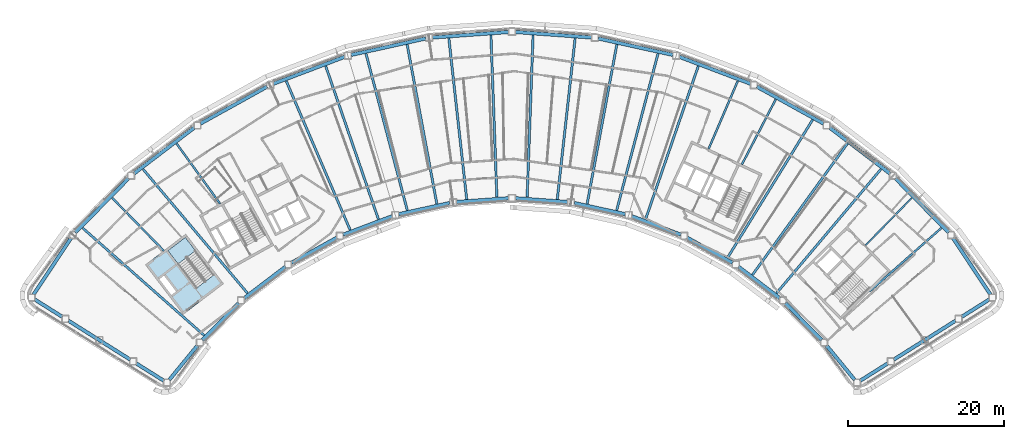
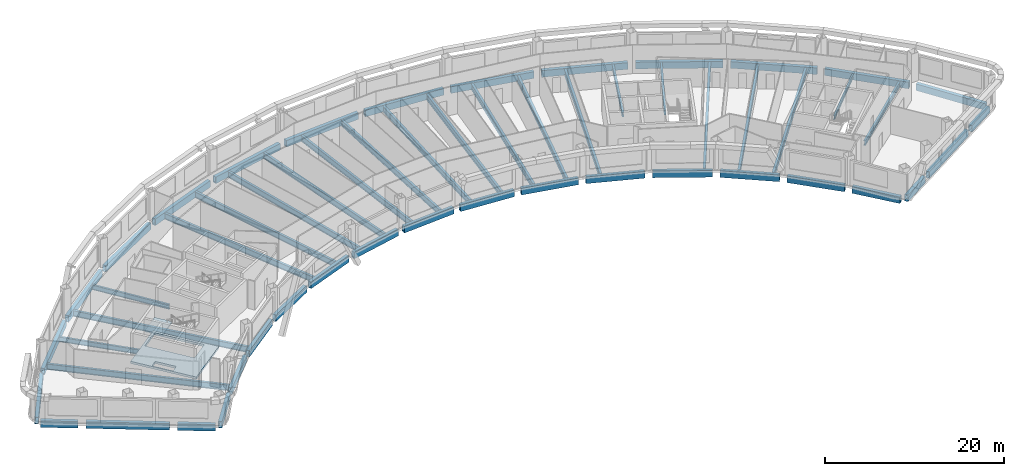
# One storey, part 3 of 17: 56 beams, 2 slabs, 1 element without a shape of its own.
"""IFC4 building model written with IfcOpenShell, lengths in metres."""

from ifc_helpers import new_model, si_unit, direction, frame, origin, origin_2d, place, context, subcontext, project, spatial, polyline, hollow_rectangle, i_section, outline, extrude, material, layer, layer_set, material_profile, profile_set, type_object, element, aggregate, save


model = new_model("IFC4")

# Units and contexts
model_context = context("Model", 3, precision=1e-05, world=origin(), true_north=direction((0.0, 1.0)))
body_context = subcontext(model_context, "Body", "Model", "MODEL_VIEW")
ifc_project = project(units=[si_unit("LENGTHUNIT", "METRE"), si_unit("AREAUNIT", "SQUARE_METRE"), si_unit("VOLUMEUNIT", "CUBIC_METRE"), si_unit("PLANEANGLEUNIT", "RADIAN"), si_unit("MASSUNIT", "GRAM", prefix="KILO")], contexts=[model_context])

# Site, building, storey
site_placement = place(None, origin())
site = spatial("IfcSite", under=ifc_project, at=site_placement, CompositionType="ELEMENT")
building_placement = place(site_placement, origin())
building = spatial("IfcBuilding", under=site, at=building_placement, Name="Tuul Gate Civic Tower", CompositionType="ELEMENT")
storey_placement = place(building_placement, frame((0.0, 0.0, 222.10009765625)))
storey = spatial("IfcBuildingStorey", under=building, at=storey_placement, Name="Level 50", CompositionType="ELEMENT", Elevation=222.10009765625)

# Beams
ifc_material_1 = material(Name="Steel S355", Category="steel")
ifc_material_profile_1 = material_profile(ifc_material_1, i_section(OverallWidth=0.199951171875, OverallDepth=0.5, WebThickness=0.010009765625, FlangeThickness=0.01611328125, at=origin_2d()), Name="PG500x200x10x16")
ifc_profile_set_1 = profile_set([ifc_material_profile_1], Name="Steel S355")
beam_type_1 = type_object("IfcBeamType", Name="STR-FLOOR BEAM-PG500x200x10x16", PredefinedType="BEAM", material=ifc_profile_set_1)
beam_1_placement = place(storey_placement, frame((51.3310546875, -8.854248046875, -0.550048828125), z_axis=(0.698691017766, 0.715423554052, 0.0), x_axis=(-0.715423554052, 0.698691017766, 0.0)))
element("IfcBeam", 1, at=beam_1_placement, inside=storey, type_object=beam_type_1, Name="Floor beam", PredefinedType="BEAM", context=body_context, shape_type="SweptSolid", body=[
    extrude(i_section(OverallWidth=0.199951171875, OverallDepth=0.5, WebThickness=0.010009765625, FlangeThickness=0.01611328125, at=origin_2d()), origin(), (0.0, 0.0, 1.0), 8.50634765625),
])
ifc_material_2 = material(Name="Steel S355", Category="steel")
ifc_material_profile_2 = material_profile(ifc_material_2, i_section(OverallWidth=0.25, OverallDepth=0.64990234375, WebThickness=0.011962890625, FlangeThickness=0.02001953125, at=origin_2d()), Name="PG650x250x12x20")
ifc_profile_set_2 = profile_set([ifc_material_profile_2], Name="Steel S355")
beam_type_2 = type_object("IfcBeamType", Name="STR-FLOOR BEAM-PG650x250x12x20", PredefinedType="BEAM", material=ifc_profile_set_2)
beam_2_placement = place(storey_placement, frame((51.833740234375, -14.790771484375, -0.625), z_axis=(0.749448461943, 0.662062688037, 0.0), x_axis=(-0.662062688037, 0.749448461943, 0.0)))
element("IfcBeam", 2, at=beam_2_placement, inside=storey, type_object=beam_type_2, Name="Floor beam", PredefinedType="BEAM", context=body_context, shape_type="SweptSolid", body=[
    extrude(i_section(OverallWidth=0.25, OverallDepth=0.64990234375, WebThickness=0.011962890625, FlangeThickness=0.02001953125, at=origin_2d()), origin(), (0.0, 0.0, 1.0), 12.31787109375),
])
beam_3_placement = place(storey_placement, frame((35.4609375, 1.528564453125, -0.625), z_axis=(0.460792486789, 0.887507906511, 0.0), x_axis=(-0.887507906511, 0.460792486789, 0.0)))
element("IfcBeam", 3, at=beam_3_placement, inside=storey, type_object=beam_type_2, Name="Floor beam", PredefinedType="BEAM", context=body_context, shape_type="SweptSolid", body=[
    extrude(i_section(OverallWidth=0.25, OverallDepth=0.64990234375, WebThickness=0.011962890625, FlangeThickness=0.02001953125, at=origin_2d()), origin(), (0.0, 0.0, 1.0), 9.4140625),
])
beam_4_placement = place(storey_placement, frame((31.184814453125, 3.5224609375, -0.625), z_axis=(0.394202008704, 0.919023817066, 0.0), x_axis=(-0.919023817066, 0.394202008704, 0.0)))
element("IfcBeam", 4, at=beam_4_placement, inside=storey, type_object=beam_type_2, Name="Floor beam", PredefinedType="BEAM", context=body_context, shape_type="SweptSolid", body=[
    extrude(i_section(OverallWidth=0.25, OverallDepth=0.64990234375, WebThickness=0.011962890625, FlangeThickness=0.02001953125, at=origin_2d()), origin(), (0.0, 0.0, 1.0), 9.48388671875),
])
beam_5_placement = place(storey_placement, frame((-31.535888671875, -3.523193359375, -0.625), z_axis=(-0.586084023539, 0.810250280686, 0.0), x_axis=(-0.810250280686, -0.586084023539, 0.0)))
element("IfcBeam", 5, at=beam_5_placement, inside=storey, type_object=beam_type_2, Name="Floor beam", PredefinedType="BEAM", context=body_context, shape_type="SweptSolid", body=[
    extrude(i_section(OverallWidth=0.25, OverallDepth=0.64990234375, WebThickness=0.011962890625, FlangeThickness=0.02001953125, at=origin_2d()), origin(), (0.0, 0.0, 1.0), 9.53515625),
])
beam_6_placement = place(storey_placement, frame((-38.757568359375, -9.564697265625, -0.625), z_axis=(-0.698678959674, 0.715435329928, 0.0), x_axis=(-0.715435329928, -0.698678959674, 0.0)))
element("IfcBeam", 6, at=beam_6_placement, inside=storey, type_object=beam_type_2, Name="Floor beam", PredefinedType="BEAM", context=body_context, shape_type="SweptSolid", body=[
    extrude(i_section(OverallWidth=0.25, OverallDepth=0.64990234375, WebThickness=0.011962890625, FlangeThickness=0.02001953125, at=origin_2d()), origin(), (0.0, 0.0, 1.0), 9.499755859375),
])
ifc_material_3 = material(Name="Steel S355", Category="steel")
ifc_material_profile_3 = material_profile(ifc_material_3, i_section(OverallWidth=0.300048828125, OverallDepth=0.800048828125, WebThickness=0.013916015625, FlangeThickness=0.02490234375, at=origin_2d()), Name="PG800x300x14x25")
ifc_profile_set_3 = profile_set([ifc_material_profile_3], Name="Steel S355")
beam_type_3 = type_object("IfcBeamType", Name="STR-FLOOR BEAM-PG800x300x14x25", PredefinedType="BEAM", material=ifc_profile_set_3)
beam_7_placement = place(storey_placement, frame((39.8974609375, -15.008056640625, -0.7001953125), z_axis=(0.644132135775, 0.764914238109, 0.0), x_axis=(-0.764914238109, 0.644132135775, 0.0)))
element("IfcBeam", 7, at=beam_7_placement, inside=storey, type_object=beam_type_3, Name="Floor beam", PredefinedType="BEAM", context=body_context, shape_type="SweptSolid", body=[
    extrude(i_section(OverallWidth=0.300048828125, OverallDepth=0.800048828125, WebThickness=0.013916015625, FlangeThickness=0.02490234375, at=origin_2d()), origin(), (0.0, 0.0, 1.0), 20.82568359375),
])
beam_8_placement = place(storey_placement, frame((36.80908203125, -12.656494140625, -0.7001953125), z_axis=(0.586087172263, 0.810248003089, 0.0), x_axis=(-0.810248003089, 0.586087172263, 0.0)))
element("IfcBeam", 8, at=beam_8_placement, inside=storey, type_object=beam_type_3, Name="Floor beam", PredefinedType="BEAM", context=body_context, shape_type="SweptSolid", body=[
    extrude(i_section(OverallWidth=0.300048828125, OverallDepth=0.800048828125, WebThickness=0.013916015625, FlangeThickness=0.02490234375, at=origin_2d()), origin(), (0.0, 0.0, 1.0), 20.806884765625),
])
beam_9_placement = place(storey_placement, frame((33.605712890625, -10.46533203125, -0.7001953125), z_axis=(0.524856706834, 0.851190599861, 0.0), x_axis=(-0.851190599861, 0.524856706834, 0.0)))
element("IfcBeam", 9, at=beam_9_placement, inside=storey, type_object=beam_type_3, Name="Floor beam", PredefinedType="BEAM", context=body_context, shape_type="SweptSolid", body=[
    extrude(i_section(OverallWidth=0.300048828125, OverallDepth=0.800048828125, WebThickness=0.013916015625, FlangeThickness=0.02490234375, at=origin_2d()), origin(), (0.0, 0.0, 1.0), 20.82275390625),
])
beam_10_placement = place(storey_placement, frame((23.0859375, -5.52294921875, -0.7001953125), z_axis=(0.325486974479, 0.945546524209, 0.0), x_axis=(-0.945546524209, 0.325486974479, 0.0)))
element("IfcBeam", 10, at=beam_10_placement, inside=storey, type_object=beam_type_3, Name="Floor beam", PredefinedType="BEAM", context=body_context, shape_type="SweptSolid", body=[
    extrude(i_section(OverallWidth=0.300048828125, OverallDepth=0.800048828125, WebThickness=0.013916015625, FlangeThickness=0.02490234375, at=origin_2d()), origin(), (0.0, 0.0, 1.0), 20.809326171875),
])
beam_11_placement = place(storey_placement, frame((19.37841796875, -4.3759765625, -0.7001953125), z_axis=(0.255007612054, 0.966939045542, 0.0), x_axis=(-0.966939045542, 0.255007612054, 0.0)))
element("IfcBeam", 11, at=beam_11_placement, inside=storey, type_object=beam_type_3, Name="Floor beam", PredefinedType="BEAM", context=body_context, shape_type="SweptSolid", body=[
    extrude(i_section(OverallWidth=0.300048828125, OverallDepth=0.800048828125, WebThickness=0.013916015625, FlangeThickness=0.02490234375, at=origin_2d()), origin(), (0.0, 0.0, 1.0), 20.8173828125),
])
beam_12_placement = place(storey_placement, frame((15.58837890625, -3.540771484375, -0.7001953125), z_axis=(0.1831360046, 0.983087587054, 0.0), x_axis=(-0.983087587054, 0.1831360046, 0.0)))
element("IfcBeam", 12, at=beam_12_placement, inside=storey, type_object=beam_type_3, Name="Floor beam", PredefinedType="BEAM", context=body_context, shape_type="SweptSolid", body=[
    extrude(i_section(OverallWidth=0.300048828125, OverallDepth=0.800048828125, WebThickness=0.013916015625, FlangeThickness=0.02490234375, at=origin_2d()), origin(), (0.0, 0.0, 1.0), 20.811279296875),
])
beam_13_placement = place(storey_placement, frame((11.7509765625, -2.960693359375, -0.7001953125), z_axis=(0.110288630292, 0.993899601584, 0.0), x_axis=(-0.993899601584, 0.110288630292, 0.0)))
element("IfcBeam", 13, at=beam_13_placement, inside=storey, type_object=beam_type_3, Name="Floor beam", PredefinedType="BEAM", context=body_context, shape_type="SweptSolid", body=[
    extrude(i_section(OverallWidth=0.300048828125, OverallDepth=0.800048828125, WebThickness=0.013916015625, FlangeThickness=0.02490234375, at=origin_2d()), origin(), (0.0, 0.0, 1.0), 20.81494140625),
])
for number, where, z_axis, x_axis, name in (
    (14, (7.880126953125, -2.679931640625, -0.7001953125), (0.036833774102, 0.999321406298, 0.0), (-0.999321406298, 0.036833774102, 0.0), "Floor beam"),
    (15, (3.99951171875, -2.679931640625, -0.7001953125), (-0.036833774102, 0.999321406298, 0.0), (-0.999321406298, -0.036833774102, 0.0), "Floor beam"),
):
    element("IfcBeam", number, at=place(storey_placement, frame(where, z_axis=z_axis, x_axis=x_axis)), inside=storey, type_object=beam_type_3, Name=name, PredefinedType="BEAM", context=body_context, shape_type="SweptSolid", body=[
        extrude(i_section(OverallWidth=0.300048828125, OverallDepth=0.800048828125, WebThickness=0.013916015625, FlangeThickness=0.02490234375, at=origin_2d()), origin(), (0.0, 0.0, 1.0), 20.8125),
    ])
beam_14_placement = place(storey_placement, frame((0.128662109375, -2.960693359375, -0.7001953125), z_axis=(-0.110287344613, 0.993899744249, 0.0), x_axis=(-0.993899744249, -0.110287344613, 0.0)))
element("IfcBeam", 16, at=beam_14_placement, inside=storey, type_object=beam_type_3, Name="Floor beam", PredefinedType="BEAM", context=body_context, shape_type="SweptSolid", body=[
    extrude(i_section(OverallWidth=0.300048828125, OverallDepth=0.800048828125, WebThickness=0.013916015625, FlangeThickness=0.02490234375, at=origin_2d()), origin(), (0.0, 0.0, 1.0), 20.815185546875),
])
beam_15_placement = place(storey_placement, frame((-3.708740234375, -3.540771484375, -0.7001953125), z_axis=(-0.183133892551, 0.983087980498, 0.0), x_axis=(-0.983087980498, -0.183133892551, 0.0)))
element("IfcBeam", 17, at=beam_15_placement, inside=storey, type_object=beam_type_3, Name="Floor beam", PredefinedType="BEAM", context=body_context, shape_type="SweptSolid", body=[
    extrude(i_section(OverallWidth=0.300048828125, OverallDepth=0.800048828125, WebThickness=0.013916015625, FlangeThickness=0.02490234375, at=origin_2d()), origin(), (0.0, 0.0, 1.0), 20.8115234375),
])
beam_16_placement = place(storey_placement, frame((-7.498779296875, -4.3759765625, -0.7001953125), z_axis=(-0.255004720301, 0.96693980817, 0.0), x_axis=(-0.96693980817, -0.255004720301, 0.0)))
element("IfcBeam", 18, at=beam_16_placement, inside=storey, type_object=beam_type_3, Name="Floor beam", PredefinedType="BEAM", context=body_context, shape_type="SweptSolid", body=[
    extrude(i_section(OverallWidth=0.300048828125, OverallDepth=0.800048828125, WebThickness=0.013916015625, FlangeThickness=0.02490234375, at=origin_2d()), origin(), (0.0, 0.0, 1.0), 20.817626953125),
])
beam_17_placement = place(storey_placement, frame((-11.20654296875, -5.522705078125, -0.7001953125), z_axis=(-0.325476485131, 0.945550134909, 0.0), x_axis=(-0.945550134909, -0.325476485131, 0.0)))
element("IfcBeam", 19, at=beam_17_placement, inside=storey, type_object=beam_type_3, Name="Floor beam", PredefinedType="BEAM", context=body_context, shape_type="SweptSolid", body=[
    extrude(i_section(OverallWidth=0.300048828125, OverallDepth=0.800048828125, WebThickness=0.013916015625, FlangeThickness=0.02490234375, at=origin_2d()), origin(), (0.0, 0.0, 1.0), 20.809326171875),
])
beam_18_placement = place(storey_placement, frame((-14.836669921875, -6.895263671875, -0.7001953125), z_axis=(-0.394196672068, 0.91902610612, 0.0), x_axis=(-0.91902610612, -0.394196672068, 0.0)))
element("IfcBeam", 20, at=beam_18_placement, inside=storey, type_object=beam_type_3, Name="Floor beam", PredefinedType="BEAM", context=body_context, shape_type="SweptSolid", body=[
    extrude(i_section(OverallWidth=0.300048828125, OverallDepth=0.800048828125, WebThickness=0.013916015625, FlangeThickness=0.02490234375, at=origin_2d()), origin(), (0.0, 0.0, 1.0), 20.819580078125),
])
beam_19_placement = place(storey_placement, frame((-28.017822265625, -15.0078125, -0.7001953125), z_axis=(-0.644126359816, 0.764919101991, 0.0), x_axis=(-0.764919101991, -0.644126359816, 0.0)))
element("IfcBeam", 21, at=beam_19_placement, inside=storey, type_object=beam_type_3, Name="Floor beam", PredefinedType="BEAM", context=body_context, shape_type="SweptSolid", body=[
    extrude(i_section(OverallWidth=0.300048828125, OverallDepth=0.800048828125, WebThickness=0.013916015625, FlangeThickness=0.02490234375, at=origin_2d()), origin(), (0.0, 0.0, 1.0), 20.825927734375),
])
beam_20_placement = place(storey_placement, frame((-33.57568359375, -20.42529296875, -0.7001953125), z_axis=(-0.749447427269, 0.662063859277, 0.0), x_axis=(-0.662063859277, -0.749447427269, 0.0)))
element("IfcBeam", 22, at=beam_20_placement, inside=storey, type_object=beam_type_3, Name="Floor beam", PredefinedType="BEAM", context=body_context, shape_type="SweptSolid", body=[
    extrude(i_section(OverallWidth=0.300048828125, OverallDepth=0.800048828125, WebThickness=0.013916015625, FlangeThickness=0.02490234375, at=origin_2d()), origin(), (0.0, 0.0, 1.0), 20.82861328125),
])
ifc_material_4 = material(Name="Steel S355", Category="steel")
ifc_material_profile_4 = material_profile(ifc_material_4, hollow_rectangle(XDim=0.449951171875, YDim=0.89990234375, WallThickness=0.02490234375, at=origin_2d()), Name="BOX900x450x25")
ifc_profile_set_4 = profile_set([ifc_material_profile_4], Name="Steel S355")
beam_type_4 = type_object("IfcBeamType", Name="STR-SPANDREL BEAM-BOX900x450x25", PredefinedType="BEAM", material=ifc_profile_set_4)
beam_21_placement = place(storey_placement, frame((67.36279296875, -15.187744140625, -0.75), z_axis=(-0.551583824499, 0.834119466594, 0.0), x_axis=(-0.834119466594, -0.551583824499, 0.0)))
element("IfcBeam", 23, at=beam_21_placement, inside=storey, type_object=beam_type_4, Name="Spandrel beam", PredefinedType="BEAM", context=body_context, shape_type="SweptSolid", body=[
    extrude(hollow_rectangle(XDim=0.449951171875, YDim=0.89990234375, WallThickness=0.02490234375, at=origin_2d()), origin(), (0.0, 0.0, 1.0), 8.706787109375),
])
beam_22_placement = place(storey_placement, frame((61.9970703125, -7.228759765625, -0.75), z_axis=(-0.700043201451, 0.7141004944, 0.0), x_axis=(-0.7141004944, -0.700043201451, 0.0)))
element("IfcBeam", 24, at=beam_22_placement, inside=storey, type_object=beam_type_4, Name="Spandrel beam", PredefinedType="BEAM", context=body_context, shape_type="SweptSolid", body=[
    extrude(hollow_rectangle(XDim=0.449951171875, YDim=0.89990234375, WallThickness=0.02490234375, at=origin_2d()), origin(), (0.0, 0.0, 1.0), 9.77783203125),
])
beam_23_placement = place(storey_placement, frame((54.47900390625, 0.34765625, -0.75), z_axis=(-0.795631153365, 0.605781369634, 0.0), x_axis=(-0.605781369634, -0.795631153365, 0.0)))
element("IfcBeam", 25, at=beam_23_placement, inside=storey, type_object=beam_type_4, Name="Spandrel beam", PredefinedType="BEAM", context=body_context, shape_type="SweptSolid", body=[
    extrude(hollow_rectangle(XDim=0.449951171875, YDim=0.89990234375, WallThickness=0.02490234375, at=origin_2d()), origin(), (0.0, 0.0, 1.0), 9.777099609375),
])
beam_24_placement = place(storey_placement, frame((45.948486328125, 6.76123046875, -0.75), z_axis=(-0.874650322207, 0.48475438509, 0.0), x_axis=(-0.48475438509, -0.874650322207, 0.0)))
element("IfcBeam", 26, at=beam_24_placement, inside=storey, type_object=beam_type_4, Name="Spandrel beam", PredefinedType="BEAM", context=body_context, shape_type="SweptSolid", body=[
    extrude(hollow_rectangle(XDim=0.449951171875, YDim=0.89990234375, WallThickness=0.02490234375, at=origin_2d()), origin(), (0.0, 0.0, 1.0), 9.777587890625),
])
for number, where, z_axis, x_axis, name in (
    (27, (36.58203125, 11.878173828125, -0.75), (-0.935338294107, 0.353754541423, 0.0), (-0.353754541423, -0.935338294107, 0.0), "Spandrel beam"),
    (28, (26.57666015625, 15.5927734375, -0.75), (-0.976560449923, 0.215243321955, 0.0), (-0.215243321955, -0.976560449923, 0.0), "Spandrel beam"),
):
    element("IfcBeam", number, at=place(storey_placement, frame(where, z_axis=z_axis, x_axis=x_axis)), inside=storey, type_object=beam_type_4, Name=name, PredefinedType="BEAM", context=body_context, shape_type="SweptSolid", body=[
        extrude(hollow_rectangle(XDim=0.449951171875, YDim=0.89990234375, WallThickness=0.02490234375, at=origin_2d()), origin(), (0.0, 0.0, 1.0), 9.77734375),
    ])
beam_25_placement = place(storey_placement, frame((16.14013671875, 17.826416015625, -0.75), z_axis=(-0.997388890217, 0.072217737926, 0.0), x_axis=(-0.072217737926, -0.997388890217, 0.0)))
element("IfcBeam", 29, at=beam_25_placement, inside=storey, type_object=beam_type_4, Name="Spandrel beam", PredefinedType="BEAM", context=body_context, shape_type="SweptSolid", body=[
    extrude(hollow_rectangle(XDim=0.449951171875, YDim=0.89990234375, WallThickness=0.02490234375, at=origin_2d()), origin(), (0.0, 0.0, 1.0), 9.77685546875),
])
beam_26_placement = place(storey_placement, frame((5.4912109375, 18.532470703125, -0.75), z_axis=(-0.997389541279, -0.072208745641, 0.0), x_axis=(0.072208745641, -0.997389541279, 0.0)))
element("IfcBeam", 30, at=beam_26_placement, inside=storey, type_object=beam_type_4, Name="Spandrel beam", PredefinedType="BEAM", context=body_context, shape_type="SweptSolid", body=[
    extrude(hollow_rectangle(XDim=0.449951171875, YDim=0.89990234375, WallThickness=0.02490234375, at=origin_2d()), origin(), (0.0, 0.0, 1.0), 9.778076171875),
])
for number, where, z_axis, x_axis, name in (
    (31, (-5.1494140625, 17.697265625, -0.75), (-0.976560449923, -0.215243321955, 0.0), (0.215243321955, -0.976560449923, 0.0), "Spandrel beam"),
    (32, (-15.557861328125, 15.3369140625, -0.75), (-0.93534141884, -0.353746279418, 0.0), (0.353746279418, -0.93534141884, 0.0), "Spandrel beam"),
    (33, (-25.517578125, 11.5009765625, -0.75), (-0.874644454553, -0.484764972042, 0.0), (0.484764972042, -0.874644454553, 0.0), "Spandrel beam"),
):
    element("IfcBeam", number, at=place(storey_placement, frame(where, z_axis=z_axis, x_axis=x_axis)), inside=storey, type_object=beam_type_4, Name=name, PredefinedType="BEAM", context=body_context, shape_type="SweptSolid", body=[
        extrude(hollow_rectangle(XDim=0.449951171875, YDim=0.89990234375, WallThickness=0.02490234375, at=origin_2d()), origin(), (0.0, 0.0, 1.0), 9.77734375),
    ])
for number, where, z_axis, x_axis, name in (
    (34, (-34.821044921875, 6.2705078125, -0.75), (-0.795621989686, -0.605793404989, 0.0), (0.605793404989, -0.795621989686, 0.0), "Spandrel beam"),
    (35, (-43.27294921875, -0.246337890625, -0.75), (-0.700004749071, -0.714138187803, 0.0), (0.714138187803, -0.700004749071, 0.0), "Spandrel beam"),
):
    element("IfcBeam", number, at=place(storey_placement, frame(where, z_axis=z_axis, x_axis=x_axis)), inside=storey, type_object=beam_type_4, Name=name, PredefinedType="BEAM", context=body_context, shape_type="SweptSolid", body=[
        extrude(hollow_rectangle(XDim=0.449951171875, YDim=0.89990234375, WallThickness=0.02490234375, at=origin_2d()), origin(), (0.0, 0.0, 1.0), 9.777099609375),
    ])
beam_27_placement = place(storey_placement, frame((-50.68017578125, -7.92529296875, -0.75), z_axis=(-0.551583824499, -0.834119466594, 0.0), x_axis=(0.834119466594, -0.551583824499, 0.0)))
element("IfcBeam", 36, at=beam_27_placement, inside=storey, type_object=beam_type_4, Name="Spandrel beam", PredefinedType="BEAM", context=body_context, shape_type="SweptSolid", body=[
    extrude(hollow_rectangle(XDim=0.449951171875, YDim=0.89990234375, WallThickness=0.02490234375, at=origin_2d()), origin(), (0.0, 0.0, 1.0), 8.706787109375),
])
beam_28_placement = place(storey_placement, frame((-55.35009765625, -15.802734375, -0.75), z_axis=(0.846220312891, -0.532833165307, 0.0), x_axis=(0.532833165307, 0.846220312891, 0.0)))
element("IfcBeam", 37, at=beam_28_placement, inside=storey, type_object=beam_type_4, Name="Spandrel beam", PredefinedType="BEAM", context=body_context, shape_type="SweptSolid", body=[
    extrude(hollow_rectangle(XDim=0.449951171875, YDim=0.89990234375, WallThickness=0.02490234375, at=origin_2d()), origin(), (0.0, 0.0, 1.0), 4.23095703125),
])
beam_29_placement = place(storey_placement, frame((-51.00830078125, -18.536865234375, -0.75), z_axis=(0.84616970281, -0.532913533367, 0.0), x_axis=(0.532913533367, 0.84616970281, 0.0)))
element("IfcBeam", 38, at=beam_29_placement, inside=storey, type_object=beam_type_4, Name="Spandrel beam", PredefinedType="BEAM", context=body_context, shape_type="SweptSolid", body=[
    extrude(hollow_rectangle(XDim=0.449951171875, YDim=0.89990234375, WallThickness=0.02490234375, at=origin_2d()), origin(), (0.0, 0.0, 1.0), 9.364013671875),
])
beam_30_placement = place(storey_placement, frame((-42.3232421875, -24.0068359375, -0.75), z_axis=(0.846285824254, -0.532729109085, 0.0), x_axis=(0.532729109085, 0.846285824254, 0.0)))
element("IfcBeam", 39, at=beam_30_placement, inside=storey, type_object=beam_type_4, Name="Spandrel beam", PredefinedType="BEAM", context=body_context, shape_type="SweptSolid", body=[
    extrude(hollow_rectangle(XDim=0.449951171875, YDim=0.89990234375, WallThickness=0.02490234375, at=origin_2d()), origin(), (0.0, 0.0, 1.0), 4.231689453125),
])
beam_31_placement = place(storey_placement, frame((-38.075439453125, -26.153076171875, -0.75), z_axis=(0.634388157307, 0.773014660837, 0.0), x_axis=(-0.773014660837, 0.634388157307, 0.0)))
element("IfcBeam", 40, at=beam_31_placement, inside=storey, type_object=beam_type_4, Name="Spandrel beam", PredefinedType="BEAM", context=body_context, shape_type="SweptSolid", body=[
    extrude(hollow_rectangle(XDim=0.449951171875, YDim=0.89990234375, WallThickness=0.02490234375, at=origin_2d()), origin(), (0.0, 0.0, 1.0), 5.751953125),
])
beam_32_placement = place(storey_placement, frame((-33.825927734375, -21.03759765625, -0.75), z_axis=(0.700011215993, 0.71413184881, 0.0), x_axis=(-0.71413184881, 0.700011215993, 0.0)))
element("IfcBeam", 41, at=beam_32_placement, inside=storey, type_object=beam_type_4, Name="Spandrel beam", PredefinedType="BEAM", context=body_context, shape_type="SweptSolid", body=[
    extrude(hollow_rectangle(XDim=0.449951171875, YDim=0.89990234375, WallThickness=0.02490234375, at=origin_2d()), origin(), (0.0, 0.0, 1.0), 6.691162109375),
])
beam_33_placement = place(storey_placement, frame((-28.468994140625, -15.665283203125, -0.75), z_axis=(0.795622636526, 0.605792555458, 0.0), x_axis=(-0.605792555458, 0.795622636526, 0.0)))
element("IfcBeam", 42, at=beam_33_placement, inside=storey, type_object=beam_type_4, Name="Spandrel beam", PredefinedType="BEAM", context=body_context, shape_type="SweptSolid", body=[
    extrude(hollow_rectangle(XDim=0.449951171875, YDim=0.89990234375, WallThickness=0.02490234375, at=origin_2d()), origin(), (0.0, 0.0, 1.0), 6.691650390625),
])
beam_34_placement = place(storey_placement, frame((-22.393310546875, -11.120849609375, -0.75), z_axis=(0.874595742166, 0.484852851683, 0.0), x_axis=(-0.484852851683, 0.874595742166, 0.0)))
element("IfcBeam", 43, at=beam_34_placement, inside=storey, type_object=beam_type_4, Name="Spandrel beam", PredefinedType="BEAM", context=body_context, shape_type="SweptSolid", body=[
    extrude(hollow_rectangle(XDim=0.449951171875, YDim=0.89990234375, WallThickness=0.02490234375, at=origin_2d()), origin(), (0.0, 0.0, 1.0), 6.69189453125),
])
beam_35_placement = place(storey_placement, frame((-15.72607421875, -7.498779296875, -0.75), z_axis=(0.935369130225, 0.353672999001, 0.0), x_axis=(-0.353672999001, 0.935369130225, 0.0)))
element("IfcBeam", 44, at=beam_35_placement, inside=storey, type_object=beam_type_4, Name="Spandrel beam", PredefinedType="BEAM", context=body_context, shape_type="SweptSolid", body=[
    extrude(hollow_rectangle(XDim=0.449951171875, YDim=0.89990234375, WallThickness=0.02490234375, at=origin_2d()), origin(), (0.0, 0.0, 1.0), 6.691650390625),
])
for number, where, z_axis, x_axis, name in (
    (45, (-8.6064453125, -4.876220703125, -0.75), (0.976558183094, 0.215253606316, 0.0), (-0.215253606316, 0.976558183094, 0.0), "Spandrel beam"),
    (46, (-1.18310546875, -3.306396484375, -0.75), (0.997382203544, 0.07231002734, 0.0), (-0.07231002734, 0.997382203544, 0.0), "Spandrel beam"),
    (47, (6.388916015625, -2.822509765625, -0.75), (0.997382203544, -0.07231002734, 0.0), (0.07231002734, 0.997382203544, 0.0), "Spandrel beam"),
):
    element("IfcBeam", number, at=place(storey_placement, frame(where, z_axis=z_axis, x_axis=x_axis)), inside=storey, type_object=beam_type_4, Name=name, PredefinedType="BEAM", context=body_context, shape_type="SweptSolid", body=[
        extrude(hollow_rectangle(XDim=0.449951171875, YDim=0.89990234375, WallThickness=0.02490234375, at=origin_2d()), origin(), (0.0, 0.0, 1.0), 6.69189453125),
    ])
beam_36_placement = place(storey_placement, frame((13.951416015625, -3.435791015625, -0.75), z_axis=(0.976553110966, -0.215276616152, 0.0), x_axis=(0.215276616152, 0.976553110966, 0.0)))
element("IfcBeam", 48, at=beam_36_placement, inside=storey, type_object=beam_type_4, Name="Spandrel beam", PredefinedType="BEAM", context=body_context, shape_type="SweptSolid", body=[
    extrude(hollow_rectangle(XDim=0.449951171875, YDim=0.89990234375, WallThickness=0.02490234375, at=origin_2d()), origin(), (0.0, 0.0, 1.0), 6.691162109375),
])
beam_37_placement = place(storey_placement, frame((21.345947265625, -5.132080078125, -0.75), z_axis=(0.935364566442, -0.353685068732, 0.0), x_axis=(0.353685068732, 0.935364566442, 0.0)))
element("IfcBeam", 49, at=beam_37_placement, inside=storey, type_object=beam_type_4, Name="Spandrel beam", PredefinedType="BEAM", context=body_context, shape_type="SweptSolid", body=[
    extrude(hollow_rectangle(XDim=0.449951171875, YDim=0.89990234375, WallThickness=0.02490234375, at=origin_2d()), origin(), (0.0, 0.0, 1.0), 6.691650390625),
])
beam_38_placement = place(storey_placement, frame((28.419677734375, -7.876220703125, -0.75), z_axis=(0.874595742166, -0.484852851683, 0.0), x_axis=(0.484852851683, 0.874595742166, 0.0)))
element("IfcBeam", 50, at=beam_38_placement, inside=storey, type_object=beam_type_4, Name="Spandrel beam", PredefinedType="BEAM", context=body_context, shape_type="SweptSolid", body=[
    extrude(hollow_rectangle(XDim=0.449951171875, YDim=0.89990234375, WallThickness=0.02490234375, at=origin_2d()), origin(), (0.0, 0.0, 1.0), 6.69189453125),
])
beam_39_placement = place(storey_placement, frame((35.02392578125, -11.611572265625, -0.75), z_axis=(0.795622636526, -0.605792555458, 0.0), x_axis=(0.605792555458, 0.795622636526, 0.0)))
element("IfcBeam", 51, at=beam_39_placement, inside=storey, type_object=beam_type_4, Name="Spandrel beam", PredefinedType="BEAM", context=body_context, shape_type="SweptSolid", body=[
    extrude(hollow_rectangle(XDim=0.449951171875, YDim=0.89990234375, WallThickness=0.02490234375, at=origin_2d()), origin(), (0.0, 0.0, 1.0), 6.691650390625),
])
beam_40_placement = place(storey_placement, frame((41.02099609375, -16.25927734375, -0.75), z_axis=(0.700104238237, -0.714040654027, 0.0), x_axis=(0.714040654027, 0.700104238237, 0.0)))
element("IfcBeam", 52, at=beam_40_placement, inside=storey, type_object=beam_type_4, Name="Spandrel beam", PredefinedType="BEAM", context=body_context, shape_type="SweptSolid", body=[
    extrude(hollow_rectangle(XDim=0.449951171875, YDim=0.89990234375, WallThickness=0.02490234375, at=origin_2d()), origin(), (0.0, 0.0, 1.0), 6.69189453125),
])
beam_41_placement = place(storey_placement, frame((46.306396484375, -21.706787109375, -0.75), z_axis=(0.63441351957, -0.772993846151, 0.0), x_axis=(0.772993846151, 0.63441351957, 0.0)))
element("IfcBeam", 53, at=beam_41_placement, inside=storey, type_object=beam_type_4, Name="Spandrel beam", PredefinedType="BEAM", context=body_context, shape_type="SweptSolid", body=[
    extrude(hollow_rectangle(XDim=0.449951171875, YDim=0.89990234375, WallThickness=0.02490234375, at=origin_2d()), origin(), (0.0, 0.0, 1.0), 5.751953125),
])
beam_42_placement = place(storey_placement, frame((50.621826171875, -26.26123046875, -0.75), z_axis=(0.846220312891, 0.532833165307, 0.0), x_axis=(-0.532833165307, 0.846220312891, 0.0)))
element("IfcBeam", 54, at=beam_42_placement, inside=storey, type_object=beam_type_4, Name="Spandrel beam", PredefinedType="BEAM", context=body_context, shape_type="SweptSolid", body=[
    extrude(hollow_rectangle(XDim=0.449951171875, YDim=0.89990234375, WallThickness=0.02490234375, at=origin_2d()), origin(), (0.0, 0.0, 1.0), 4.23095703125),
])
beam_43_placement = place(storey_placement, frame((54.9638671875, -23.527099609375, -0.75), z_axis=(0.846162298174, 0.532925290401, 0.0), x_axis=(-0.532925290401, 0.846162298174, 0.0)))
element("IfcBeam", 55, at=beam_43_placement, inside=storey, type_object=beam_type_4, Name="Spandrel beam", PredefinedType="BEAM", context=body_context, shape_type="SweptSolid", body=[
    extrude(hollow_rectangle(XDim=0.449951171875, YDim=0.89990234375, WallThickness=0.02490234375, at=origin_2d()), origin(), (0.0, 0.0, 1.0), 9.36376953125),
])
beam_44_placement = place(storey_placement, frame((63.64892578125, -18.057373046875, -0.75), z_axis=(0.846259814063, 0.532770426264, 0.0), x_axis=(-0.532770426264, 0.846259814063, 0.0)))
element("IfcBeam", 56, at=beam_44_placement, inside=storey, type_object=beam_type_4, Name="Spandrel beam", PredefinedType="BEAM", context=body_context, shape_type="SweptSolid", body=[
    extrude(hollow_rectangle(XDim=0.449951171875, YDim=0.89990234375, WallThickness=0.02490234375, at=origin_2d()), origin(), (0.0, 0.0, 1.0), 4.23193359375),
])

# Slab
ifc_material_5 = material(Name="Concrete C40/50", Category="concrete")
ifc_layer_1 = layer(ifc_material_5, 0.300048828125)
ifc_layer_set_1 = layer_set([ifc_layer_1], Name="Concrete C40/50")
slab_type_1 = type_object("IfcSlabType", Name="Core floor slab 300", PredefinedType="FLOOR", material=ifc_layer_set_1)
slab_1_placement = place(storey_placement, frame((0.0, 0.0, -0.300048828125)))
element("IfcSlab", 57, at=slab_1_placement, inside=storey, type_object=slab_type_1, Name="FLOOR SLAB", PredefinedType="FLOOR", context=body_context, shape_type="SweptSolid", body=[
    extrude(outline(polyline([(-31.10009765625, -13.7890625), (-35.946044921875, -7.423828125), (-41.11767578125, -11.361572265625), (-36.271484375, -17.726806640625), (-31.10009765625, -13.7890625)]), holes=[polyline([(-37.19287109375, -14.783203125), (-38.737548828125, -12.75439453125), (-39.45361328125, -13.299560546875), (-37.908935546875, -15.328369140625), (-37.19287109375, -14.783203125)]), polyline([(-32.33935546875, -12.65771484375), (-34.56591796875, -14.352783203125), (-38.229736328125, -9.54052734375), (-36.003173828125, -7.845458984375), (-32.33935546875, -12.65771484375)])]), origin(), (0.0, 0.0, 1.0), 0.300048828125),
])

# Stair, slab
ifc_material_6 = material(Name="Concrete C40/50", Category="concrete")
stair_type = type_object("IfcStairType", Name="Exit stair", PredefinedType="HALF_TURN_STAIR", material=ifc_material_6)
stair_placement = place(storey_placement, origin())
stair = element("IfcStair", 58, at=stair_placement, inside=storey, type_object=stair_type, Name="Level 50 ST-1", PredefinedType="HALF_TURN_STAIR")
ifc_material_7 = material(Name="Concrete C40/50", Category="concrete")
ifc_layer_2 = layer(ifc_material_7, 0.199951171875)
ifc_layer_set_2 = layer_set([ifc_layer_2], Name="Concrete C40/50")
slab_type_2 = type_object("IfcSlabType", Name="Exit stair landing", PredefinedType="LANDING", material=ifc_layer_set_2)
slab_2_placement = place(storey_placement, frame((0.0, 0.0, 1.89990234375)))
slab_2 = element("IfcSlab", 59, at=slab_2_placement, type_object=slab_type_2, Name="ST-1 landing 1", PredefinedType="LANDING", context=body_context, shape_type="SweptSolid", body=[
    extrude(outline(polyline([(-34.699462890625, -9.554931640625), (-36.9287109375, -11.252197265625), (-38.23193359375, -9.540283203125), (-36.0029296875, -7.843017578125), (-34.699462890625, -9.554931640625)])), origin(), (0.0, 0.0, 1.0), 0.199951171875),
])
aggregate(stair, [slab_2])

save(model, "model.ifc")
